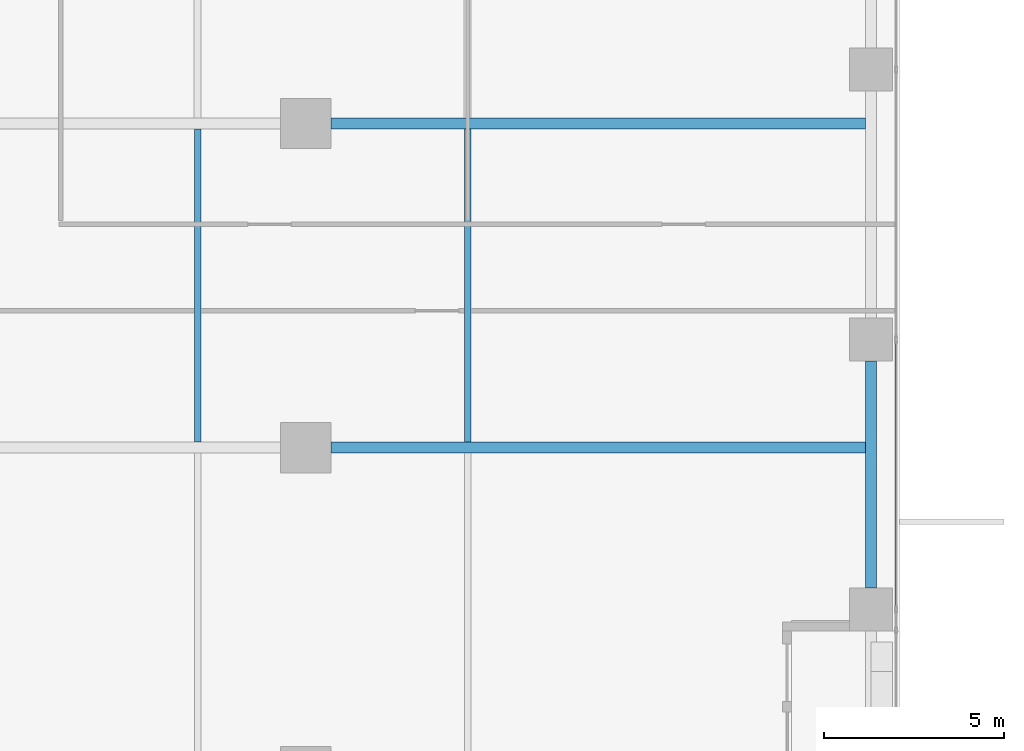
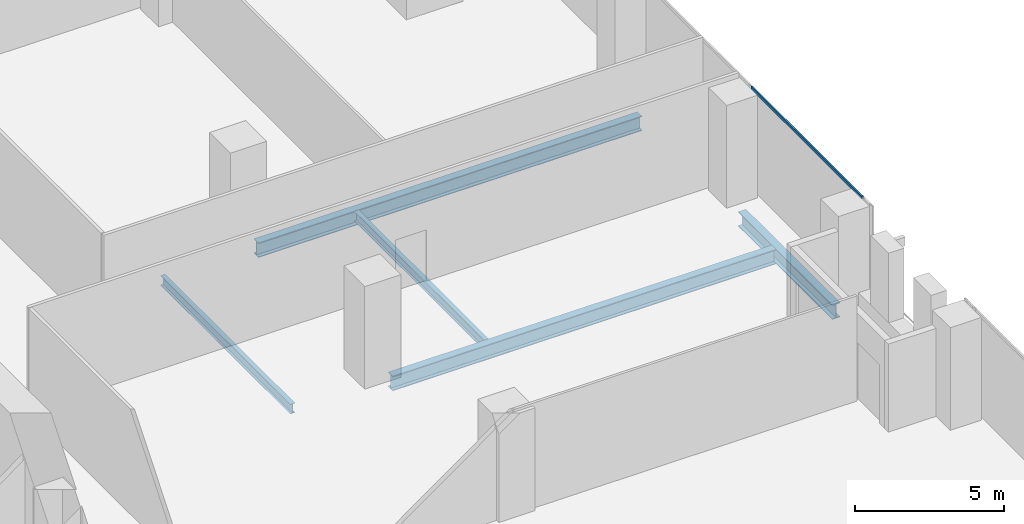
# One storey, part 16 of 33: 5 beams, 1 member, 1 element without a shape of its own.
"""IFC4 building model written with IfcOpenShell, lengths in metres."""

from ifc_helpers import new_model, si_unit, direction, frame, origin, origin_2d, place, context, subcontext, project, spatial, hollow_rectangle, i_section, extrude, source, transform, mapped, material, material_profile, profile_set, type_object, element, aggregate, save


model = new_model("IFC4")

# Units and contexts
model_context = context("Model", 3, precision=1e-05, world=origin(), true_north=direction((0.0, 1.0)))
body_context = subcontext(model_context, "Body", "Model", "MODEL_VIEW")
ifc_project = project(units=[si_unit("LENGTHUNIT", "METRE"), si_unit("AREAUNIT", "SQUARE_METRE"), si_unit("VOLUMEUNIT", "CUBIC_METRE"), si_unit("PLANEANGLEUNIT", "RADIAN"), si_unit("MASSUNIT", "GRAM", prefix="KILO")], contexts=[model_context])

# Site, building, storey
site_placement = place(None, origin())
site = spatial("IfcSite", under=ifc_project, at=site_placement, CompositionType="ELEMENT")
building_placement = place(site_placement, origin())
building = spatial("IfcBuilding", under=site, at=building_placement, Name="Khomas Fold Tower", CompositionType="ELEMENT")
storey_placement = place(building_placement, frame((0.0, 0.0, 78.0)))
storey = spatial("IfcBuildingStorey", under=building, at=storey_placement, Name="L16", CompositionType="ELEMENT", Elevation=78.0)

# Beams
ifc_material_1 = material(Name="Steel S355", Category="steel")
ifc_material_profile_1 = material_profile(ifc_material_1, i_section(OverallWidth=0.179931640625, OverallDepth=0.39990234375, WebThickness=0.008544921875, FlangeThickness=0.013427734375, at=origin_2d()), Name="IPE 400")
ifc_profile_set_1 = profile_set([ifc_material_profile_1], Name="Steel S355")
beam_type_1 = type_object("IfcBeamType", Name="IPE 400 beam JB3", PredefinedType="BEAM", material=ifc_profile_set_1)
shared_shape_1 = source(origin(), body_context, "Body", "SweptSolid", [
    extrude(i_section(OverallWidth=0.179931640625, OverallDepth=0.39990234375, WebThickness=0.008544921875, FlangeThickness=0.013427734375, at=origin_2d()), origin(), (0.0, 0.0, 1.0), 8.7001953125),
])
for number, where, z_axis, x_axis, name in (
    (1, (34.5, 31.64990234375, -0.5), (0.0, 1.0, 0.0), (-1.0, 0.0, 0.0), "JB3"),
    (2, (42.0, 31.64990234375, -0.5), (0.0, 1.0, 0.0), (-1.0, 0.0, 0.0), "JB3"),
):
    element("IfcBeam", number, at=place(storey_placement, frame(where, z_axis=z_axis, x_axis=x_axis)), inside=storey, type_object=beam_type_1, Name=name, PredefinedType="BEAM", context=body_context, shape_type="MappedRepresentation", body=[
        mapped(shared_shape_1, transform((0.0, 0.0, 0.0))),
    ])
ifc_material_2 = material(Name="Steel S355", Category="steel")
ifc_material_profile_2 = material_profile(ifc_material_2, i_section(OverallWidth=0.300048828125, OverallDepth=0.60009765625, WebThickness=0.015380859375, FlangeThickness=0.030029296875, at=origin_2d()), Name="HE 600 B")
ifc_profile_set_2 = profile_set([ifc_material_profile_2], Name="Steel S355")
beam_type_2 = type_object("IfcBeamType", Name="HE 600 B spandrel SB1", PredefinedType="SPANDREL", material=ifc_profile_set_2)
shared_shape_2 = source(origin(), body_context, "Body", "SweptSolid", [
    extrude(i_section(OverallWidth=0.300048828125, OverallDepth=0.60009765625, WebThickness=0.015380859375, FlangeThickness=0.030029296875, at=origin_2d()), origin(), (0.0, 0.0, 1.0), 6.2998046875),
])
beam_placement = place(storey_placement, frame((53.199951171875, 27.60009765625, -0.60009765625), z_axis=(0.0, 1.0, 0.0), x_axis=(-1.0, 0.0, 0.0)))
element("IfcBeam", 3, at=beam_placement, inside=storey, type_object=beam_type_2, Name="SB1", PredefinedType="SPANDREL", context=body_context, shape_type="MappedRepresentation", body=[
    mapped(shared_shape_2, transform((0.0, 0.0, 0.0))),
])
ifc_material_3 = material(Name="Steel S355", Category="steel")
ifc_material_profile_3 = material_profile(ifc_material_3, i_section(OverallWidth=0.300048828125, OverallDepth=0.60009765625, WebThickness=0.015380859375, FlangeThickness=0.030029296875, at=origin_2d()), Name="HE 600 B")
ifc_profile_set_3 = profile_set([ifc_material_profile_3], Name="Steel S355")
beam_type_3 = type_object("IfcBeamType", Name="HE 600 B beam GB5", PredefinedType="BEAM", material=ifc_profile_set_3)
shared_shape_3 = source(origin(), body_context, "Body", "SweptSolid", [
    extrude(i_section(OverallWidth=0.300048828125, OverallDepth=0.60009765625, WebThickness=0.015380859375, FlangeThickness=0.030029296875, at=origin_2d()), origin(), (0.0, 0.0, 1.0), 14.85009765625),
])
for number, where, z_axis, x_axis, name in (
    (4, (38.199951171875, 31.5, -0.60009765625), (1.0, 0.0, 0.0), (0.0, 1.0, 0.0), "GB5"),
    (5, (38.199951171875, 40.5, -0.60009765625), (1.0, 0.0, 0.0), (0.0, 1.0, 0.0), "GB5"),
):
    element("IfcBeam", number, at=place(storey_placement, frame(where, z_axis=z_axis, x_axis=x_axis)), inside=storey, type_object=beam_type_3, Name=name, PredefinedType="BEAM", context=body_context, shape_type="MappedRepresentation", body=[
        mapped(shared_shape_3, transform((0.0, 0.0, 0.0))),
    ])

# Curtain wall, member
ifc_material_4 = material(Name="Aluminium framed double glazing", Category="aluminium")
curtain_wall_type = type_object("IfcCurtainWallType", Name="SK-Unitised clear-glass wall, growing floors CW1", PredefinedType="NOTDEFINED", material=ifc_material_4)
curtain_wall_placement = place(storey_placement, origin())
curtain_wall = element("IfcCurtainWall", 6, at=curtain_wall_placement, inside=storey, type_object=curtain_wall_type, Name="CW1 run L16 03-1", PredefinedType="NOTDEFINED")
ifc_material_5 = material(Name="Aluminium", Category="aluminium")
ifc_material_profile_4 = material_profile(ifc_material_5, hollow_rectangle(XDim=0.06005859375, YDim=0.1201171875, WallThickness=0.00390625, at=origin_2d()), Name="SK-Unitised clear-glass wall, growing floors transom CW1-T")
ifc_profile_set_4 = profile_set([ifc_material_profile_4], Name="Aluminium")
member_type = type_object("IfcMemberType", Name="SK-Unitised clear-glass wall, growing floors transom CW1-T", PredefinedType="USERDEFINED", material=ifc_profile_set_4)
shared_shape_4 = source(origin(), body_context, "Body", "SweptSolid", [
    extrude(hollow_rectangle(XDim=0.06005859375, YDim=0.1201171875, WallThickness=0.00390625, at=origin_2d()), origin(), (0.0, 0.0, 1.0), 7.43994140625),
])
member_placement = place(storey_placement, frame((53.89990234375, 27.030029296875, 4.139892578125), z_axis=(0.0, 1.0, 0.0), x_axis=(-1.0, 0.0, 0.0)))
member = element("IfcMember", 7, at=member_placement, type_object=member_type, Name="CW1 transom 2", ObjectType="TRANSOM", PredefinedType="USERDEFINED", context=body_context, shape_type="MappedRepresentation", body=[
    mapped(shared_shape_4, transform((0.0, 0.0, 0.0))),
])
aggregate(curtain_wall, [member])

save(model, "model.ifc")
